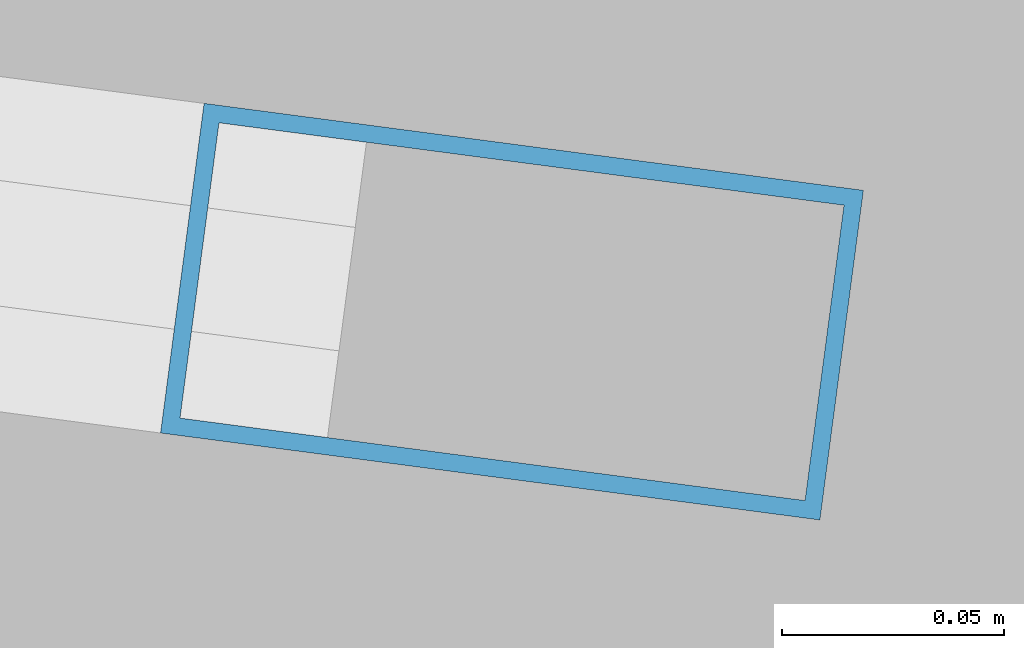
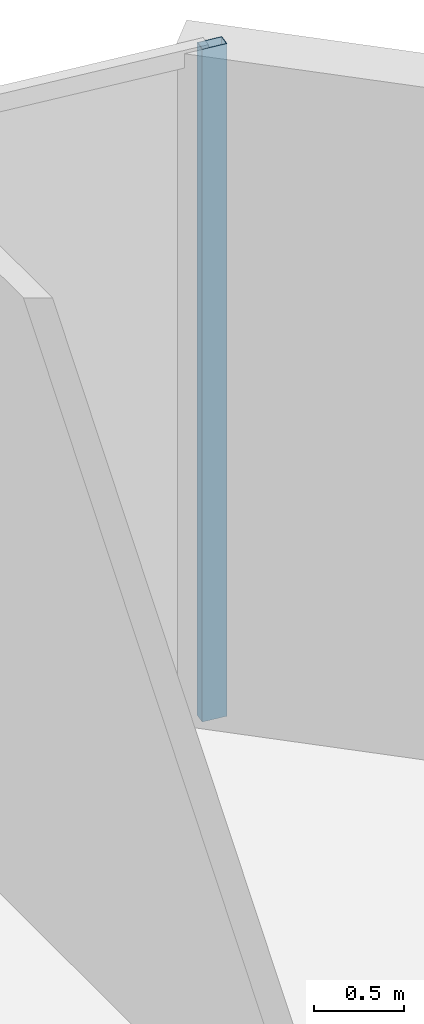
# One storey, part 22 of 30: 1 member, 1 element without a shape of its own.
"""IFC4 building model written with IfcOpenShell, lengths in metres."""

from ifc_helpers import new_model, si_unit, direction, frame, origin, origin_2d, place, context, subcontext, project, spatial, hollow_rectangle, extrude, material, layer, layer_set, material_profile, profile_set, type_object, element, aggregate, save


model = new_model("IFC4")

# Units and contexts
model_context = context("Model", 3, precision=1e-05, world=origin(), true_north=direction((0.0, 1.0)))
body_context = subcontext(model_context, "Body", "Model", "MODEL_VIEW")
ifc_project = project(units=[si_unit("LENGTHUNIT", "METRE"), si_unit("AREAUNIT", "SQUARE_METRE"), si_unit("VOLUMEUNIT", "CUBIC_METRE"), si_unit("PLANEANGLEUNIT", "RADIAN"), si_unit("MASSUNIT", "GRAM", prefix="KILO")], contexts=[model_context])

# Site, building, storey
site_placement = place(None, origin())
site = spatial("IfcSite", under=ifc_project, at=site_placement, CompositionType="ELEMENT")
building_placement = place(site_placement, origin())
building = spatial("IfcBuilding", under=site, at=building_placement, Name="Kazevale Care Tower and Concert Hall", CompositionType="ELEMENT")
storey_placement = place(building_placement, frame((0.0, 0.0, 97.800048828125)))
storey = spatial("IfcBuildingStorey", under=building, at=storey_placement, Name="L25", CompositionType="ELEMENT", Elevation=97.800048828125)

# Curtain wall, member
ifc_material_1 = material(Name="Aluminium 6063-T6 and Low-E Glass", Category="aluminium")
ifc_layer = layer(ifc_material_1, 0.179931640625)
ifc_layer_set = layer_set([ifc_layer], Name="Aluminium 6063-T6 and Low-E Glass")
curtain_wall_type = type_object("IfcCurtainWallType", Name="Convex Recessed Sunroom Curtain Wall CW-3", PredefinedType="NOTDEFINED", material=ifc_layer_set)
curtain_wall_placement = place(storey_placement, origin())
curtain_wall = element("IfcCurtainWall", 1, at=curtain_wall_placement, inside=storey, type_object=curtain_wall_type, Name="cw:L25:f16", PredefinedType="NOTDEFINED")
ifc_material_2 = material(Name="Aluminium 6063-T6", Category="aluminium")
ifc_material_profile = material_profile(ifc_material_2, hollow_rectangle(XDim=0.074951171875, YDim=0.14990234375, WallThickness=0.00390625, at=origin_2d()), Name="ALU75x150x4")
ifc_profile_set = profile_set([ifc_material_profile], Name="Aluminium 6063-T6")
member_type = type_object("IfcMemberType", Name="CW-3 Mullion ALU75x150x4", PredefinedType="MULLION", material=ifc_profile_set)
member_placement = place(storey_placement, frame((61.810791015625, 60.809814453125, 0.0), z_axis=(0.0, 0.0, 1.0), x_axis=(0.130822374277, 0.991405823257, 0.0)))
member = element("IfcMember", 2, at=member_placement, type_object=member_type, Name="CW-3 mullion 2", PredefinedType="MULLION", context=body_context, shape_type="SweptSolid", body=[
    extrude(hollow_rectangle(XDim=0.074951171875, YDim=0.14990234375, WallThickness=0.00390625, at=origin_2d()), origin(), (0.0, 0.0, 1.0), 4.56005859375),
])
aggregate(curtain_wall, [member])

save(model, "model.ifc")
